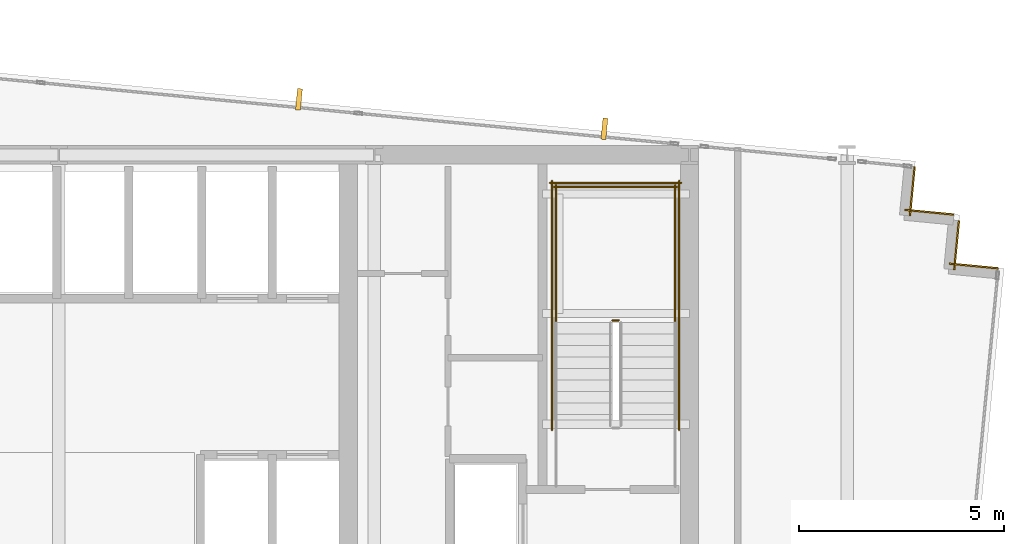
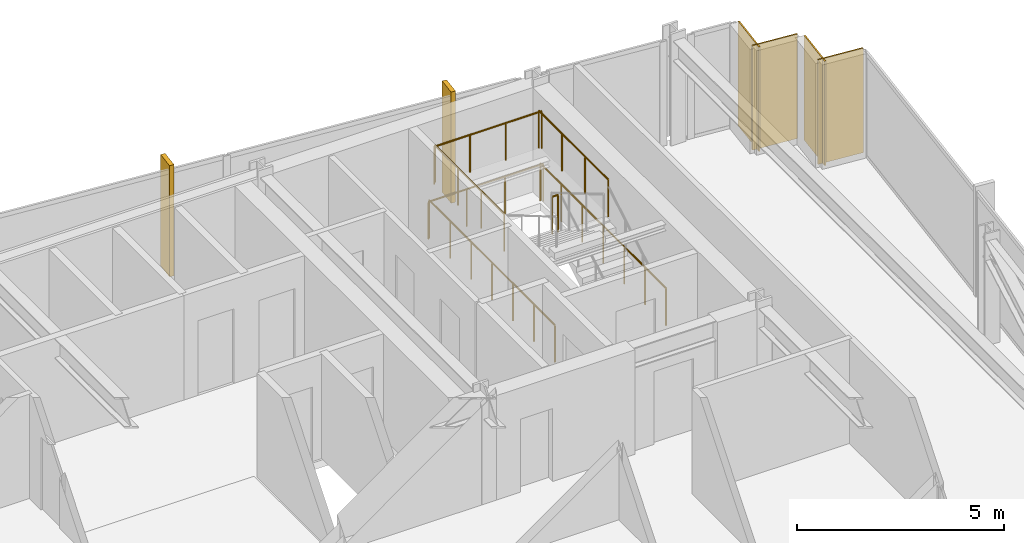
# One storey, part 38 of 38: 7 railings, 4 coverings, 2 shading devices.
"""IFC4 building model written with IfcOpenShell, lengths in metres."""

from ifc_helpers import new_model, si_unit, direction, frame, frame_2d, origin, origin_2d, place, context, subcontext, project, spatial, rectangle, circle, extrude, material, layer, layer_set, type_object, element, save


model = new_model("IFC4")

# Units and contexts
model_context = context("Model", 3, precision=1e-05, world=origin(), true_north=direction((0.0, 1.0)))
body_context = subcontext(model_context, "Body", "Model", "MODEL_VIEW")
ifc_project = project(units=[si_unit("LENGTHUNIT", "METRE"), si_unit("AREAUNIT", "SQUARE_METRE"), si_unit("VOLUMEUNIT", "CUBIC_METRE"), si_unit("PLANEANGLEUNIT", "RADIAN"), si_unit("MASSUNIT", "GRAM", prefix="KILO")], contexts=[model_context])

# Site, building, storey
site_placement = place(None, origin())
site = spatial("IfcSite", under=ifc_project, at=site_placement, CompositionType="ELEMENT")
building_placement = place(site_placement, origin())
building = spatial("IfcBuilding", under=site, at=building_placement, Name="Yelkora Congress Tower", CompositionType="ELEMENT")
storey_placement = place(building_placement, frame((0.0, 0.0, 172.10009765625)))
storey = spatial("IfcBuildingStorey", under=building, at=storey_placement, Name="L47", CompositionType="ELEMENT", Elevation=172.10009765625)

# Coverings
ifc_material_1 = material(Name="Anatolian bush-hammered limestone", Category="masonry")
ifc_layer_1 = layer(ifc_material_1, 0.0400390625)
ifc_layer_set_1 = layer_set([ifc_layer_1], Name="Anatolian bush-hammered limestone")
covering_type = type_object("IfcCoveringType", Name="COV-CLAD-SPANDREL-40", PredefinedType="CLADDING", material=ifc_layer_set_1)
covering_1_placement = place(storey_placement, frame((59.2431640625, 45.909912109375, 0.0), z_axis=(0.0, 0.0, 1.0), x_axis=(-0.095836473879, -0.995397091755, 0.0)))
element("IfcCovering", 1, at=covering_1_placement, inside=storey, type_object=covering_type, Name="L47 Anatolian Limestone Cladding EW-L47-SR11", PredefinedType="CLADDING", context=body_context, shape_type="SweptSolid", body=[
    extrude(rectangle(XDim=1.199951171875, YDim=0.0400390625, at=frame_2d((0.60009765625, 0.0))), origin(), (0.0, 0.0, 1.0), 3.079833984375),
])
for number, where, z_axis, x_axis, name in (
    (2, (59.006591796875, 44.86279296875, 0.0), (0.0, 0.0, 1.0), (0.995398960025, -0.095817067274, 0.0), "L47 Anatolian Limestone Cladding EW-L47-SR12"),
    (3, (60.322509765625, 44.6005859375, 0.0), (0.0, 0.0, 1.0), (-0.095817067274, -0.995398960025, 0.0), "L47 Anatolian Limestone Cladding EW-L47-SR13"),
):
    element("IfcCovering", number, at=place(storey_placement, frame(where, z_axis=z_axis, x_axis=x_axis)), inside=storey, type_object=covering_type, Name=name, PredefinedType="CLADDING", context=body_context, shape_type="SweptSolid", body=[
        extrude(rectangle(XDim=1.2001953125, YDim=0.0400390625, at=frame_2d((0.60009765625, 0.0))), origin(), (0.0, 0.0, 1.0), 3.079833984375),
    ])
covering_2_placement = place(storey_placement, frame((60.086181640625, 43.55322265625, 0.0), z_axis=(0.0, 0.0, 1.0), x_axis=(0.995397091755, -0.095836473879, 0.0)))
element("IfcCovering", 4, at=covering_2_placement, inside=storey, type_object=covering_type, Name="L47 Anatolian Limestone Cladding EW-L47-SR14", PredefinedType="CLADDING", context=body_context, shape_type="SweptSolid", body=[
    extrude(rectangle(XDim=1.199951171875, YDim=0.0400390625, at=frame_2d((0.60009765625, 0.0))), origin(), (0.0, 0.0, 1.0), 3.079833984375),
])

# Railings
ifc_material_2 = material(Name="Painted galvanised steel stair well guard with vertical infill", Category="steel")
ifc_layer_2 = layer(ifc_material_2, 0.06005859375)
ifc_layer_set_2 = layer_set([ifc_layer_2], Name="Painted galvanised steel stair well guard with vertical infill")
railing_type = type_object("IfcRailingType", Name="RAIL-STAIR-GUARD-1120", PredefinedType="GUARDRAIL", material=ifc_layer_set_2)
railing_1_placement = place(storey_placement, frame((52.0400390625, 42.169921875, 1.64990234375)))
element("IfcRailing", 5, at=railing_1_placement, inside=storey, type_object=railing_type, Name="ST-02 L47 Stair Well Guardrail 2", PredefinedType="GUARDRAIL", context=body_context, shape_type="SweptSolid", body=[
    extrude(circle(Radius=0.02392578125, at=origin_2d()), frame((0.0, 0.0, 1.09619140625), z_axis=(-1.0, 0.0, 0.0), x_axis=(0.0, -1.0, 0.0)), (0.0, 0.0, 1.0), 0.16015625),
    extrude(circle(Radius=0.02099609375, at=origin_2d()), origin(), (0.0, 0.0, 1.0), 1.072021484375),
    extrude(circle(Radius=0.02099609375, at=origin_2d()), frame((-0.16015625, 0.0, 0.0)), (0.0, 0.0, 1.0), 1.072021484375),
])
for number, where, name in (
    (6, (53.409912109375, 42.1201171875, 1.64990234375), "ST-02 L47 Stair Well Guardrail 3"),
    (7, (50.510009765625, 42.1201171875, 1.64990234375), "ST-02 L47 Stair Well Guardrail 4"),
):
    element("IfcRailing", number, at=place(storey_placement, frame(where)), inside=storey, type_object=railing_type, Name=name, PredefinedType="GUARDRAIL", context=body_context, shape_type="SweptSolid", body=[
        extrude(circle(Radius=0.02392578125, at=origin_2d()), frame((0.0, 0.0, 1.09619140625), z_axis=(0.0, 1.0, 0.0), x_axis=(-1.0, 0.0, 0.0)), (0.0, 0.0, 1.0), 3.349853515625),
        extrude(circle(Radius=0.02099609375, at=origin_2d()), origin(), (0.0, 0.0, 1.0), 1.072021484375),
        extrude(circle(Radius=0.02099609375, at=origin_2d()), frame((0.0, 1.11669921875, 0.0)), (0.0, 0.0, 1.0), 1.072021484375),
        extrude(circle(Radius=0.02099609375, at=origin_2d()), frame((0.0, 2.233154296875, 0.0)), (0.0, 0.0, 1.0), 1.072021484375),
        extrude(circle(Radius=0.02099609375, at=origin_2d()), frame((0.0, 3.349853515625, 0.0)), (0.0, 0.0, 1.0), 1.072021484375),
    ])
railing_2_placement = place(storey_placement, frame((53.4599609375, 45.419921875, 1.64990234375)))
element("IfcRailing", 8, at=railing_2_placement, inside=storey, type_object=railing_type, Name="ST-02 L47 Stair Well Guardrail 5", PredefinedType="GUARDRAIL", context=body_context, shape_type="SweptSolid", body=[
    extrude(circle(Radius=0.02392578125, at=origin_2d()), frame((0.0, 0.0, 1.09619140625), z_axis=(-1.0, 0.0, 0.0), x_axis=(0.0, -1.0, 0.0)), (0.0, 0.0, 1.0), 3.0),
    extrude(circle(Radius=0.02099609375, at=origin_2d()), origin(), (0.0, 0.0, 1.0), 1.072021484375),
    extrude(circle(Radius=0.02099609375, at=origin_2d()), frame((-1.0, 0.0, 0.0)), (0.0, 0.0, 1.0), 1.072021484375),
    extrude(circle(Radius=0.02099609375, at=origin_2d()), frame((-2.0, 0.0, 0.0)), (0.0, 0.0, 1.0), 1.072021484375),
    extrude(circle(Radius=0.02099609375, at=origin_2d()), frame((-3.0, 0.0, 0.0)), (0.0, 0.0, 1.0), 1.072021484375),
])
for number, where, name in (
    (9, (53.510009765625, 39.5, 0.0), "ST-02 L47 Stair Well Guardrail 10"),
    (10, (50.409912109375, 39.5, 0.0), "ST-02 L47 Stair Well Guardrail 11"),
):
    element("IfcRailing", number, at=place(storey_placement, frame(where)), inside=storey, type_object=railing_type, Name=name, PredefinedType="GUARDRAIL", context=body_context, shape_type="SweptSolid", body=[
        extrude(circle(Radius=0.02392578125, at=origin_2d()), frame((0.0, 0.0, 1.09619140625), z_axis=(0.0, 1.0, 0.0), x_axis=(-1.0, 0.0, 0.0)), (0.0, 0.0, 1.0), 6.070068359375),
        extrude(circle(Radius=0.02099609375, at=origin_2d()), origin(), (0.0, 0.0, 1.0), 1.072021484375),
        extrude(circle(Radius=0.02099609375, at=origin_2d()), frame((0.0, 1.01171875, 0.0)), (0.0, 0.0, 1.0), 1.072021484375),
        extrude(circle(Radius=0.02099609375, at=origin_2d()), frame((0.0, 2.0234375, 0.0)), (0.0, 0.0, 1.0), 1.072021484375),
        extrude(circle(Radius=0.02099609375, at=origin_2d()), frame((0.0, 3.03515625, 0.0)), (0.0, 0.0, 1.0), 1.072021484375),
        extrude(circle(Radius=0.02099609375, at=origin_2d()), frame((0.0, 4.046630859375, 0.0)), (0.0, 0.0, 1.0), 1.072021484375),
        extrude(circle(Radius=0.02099609375, at=origin_2d()), frame((0.0, 5.058349609375, 0.0)), (0.0, 0.0, 1.0), 1.072021484375),
        extrude(circle(Radius=0.02099609375, at=origin_2d()), frame((0.0, 6.070068359375, 0.0)), (0.0, 0.0, 1.0), 1.072021484375),
    ])
railing_3_placement = place(storey_placement, frame((53.56005859375, 45.52001953125, 0.0)))
element("IfcRailing", 11, at=railing_3_placement, inside=storey, type_object=railing_type, Name="ST-02 L47 Stair Well Guardrail 12", PredefinedType="GUARDRAIL", context=body_context, shape_type="SweptSolid", body=[
    extrude(circle(Radius=0.02392578125, at=origin_2d()), frame((0.0, 0.0, 1.09619140625), z_axis=(-1.0, 0.0, 0.0), x_axis=(0.0, -1.0, 0.0)), (0.0, 0.0, 1.0), 3.199951171875),
    extrude(circle(Radius=0.02099609375, at=origin_2d()), origin(), (0.0, 0.0, 1.0), 1.072021484375),
    extrude(circle(Radius=0.02099609375, at=origin_2d()), frame((-1.066650390625, 0.0, 0.0)), (0.0, 0.0, 1.0), 1.072021484375),
    extrude(circle(Radius=0.02099609375, at=origin_2d()), frame((-2.13330078125, 0.0, 0.0)), (0.0, 0.0, 1.0), 1.072021484375),
    extrude(circle(Radius=0.02099609375, at=origin_2d()), frame((-3.199951171875, 0.0, 0.0)), (0.0, 0.0, 1.0), 1.072021484375),
])

# Shading devices
ifc_material_3 = material(Name="Champagne anodised aluminium", Category="aluminium")
ifc_layer_3 = layer(ifc_material_3, 3.300048828125)
ifc_layer_set_3 = layer_set([ifc_layer_3], Name="Champagne anodised aluminium")
shading_device_type = type_object("IfcShadingDeviceType", Name="SHD-FIN-ALU-520", PredefinedType="USERDEFINED", material=ifc_layer_set_3)
for number, where, z_axis, x_axis, name in (
    (12, (44.248291015625, 47.5546875, -0.0302734375), (0.0, 0.0, 1.0), (0.995396198367, -0.09584575252, 0.0), "L47 Vertical Anodised Solar Fin 10-5"),
    (13, (51.68798828125, 46.83837890625, -0.0302734375), (0.0, 0.0, 1.0), (0.995396198367, -0.09584575252, 0.0), "L47 Vertical Anodised Solar Fin 10-6"),
):
    element("IfcShadingDevice", number, at=place(storey_placement, frame(where, z_axis=z_axis, x_axis=x_axis)), inside=storey, type_object=shading_device_type, Name=name, ObjectType="FIN", PredefinedType="USERDEFINED", context=body_context, shape_type="SweptSolid", body=[
        extrude(rectangle(XDim=0.1201171875, YDim=0.52001953125, at=origin_2d()), origin(), (0.0, 0.0, 1.0), 3.280029296875),
    ])

save(model, "model.ifc")
